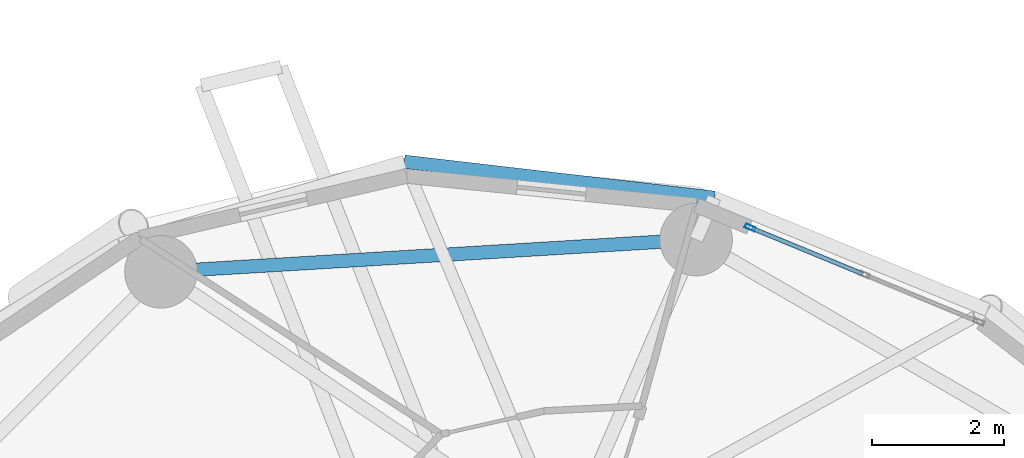
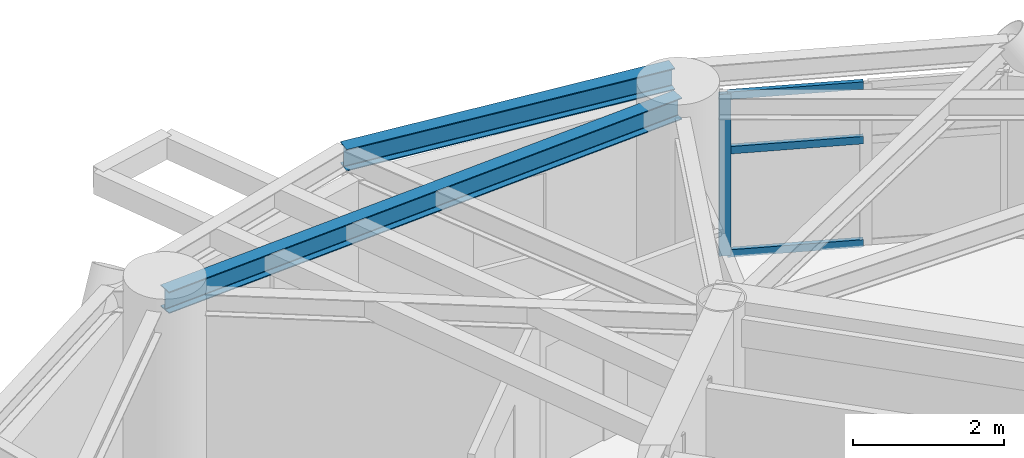
# One storey, part 5 of 15: 4 members, 2 beams, 1 element without a shape of its own.
"""IFC4 building model written with IfcOpenShell, lengths in metres."""

from ifc_helpers import new_model, si_unit, direction, frame, origin, origin_2d, place, context, subcontext, project, spatial, hollow_rectangle, i_section, extrude, material, layer, layer_set, material_profile, profile_set, type_object, element, aggregate, save


model = new_model("IFC4")

# Units and contexts
model_context = context("Model", 3, precision=1e-05, world=origin(), true_north=direction((0.0, 1.0)))
body_context = subcontext(model_context, "Body", "Model", "MODEL_VIEW")
ifc_project = project(units=[si_unit("LENGTHUNIT", "METRE"), si_unit("AREAUNIT", "SQUARE_METRE"), si_unit("VOLUMEUNIT", "CUBIC_METRE"), si_unit("PLANEANGLEUNIT", "RADIAN"), si_unit("MASSUNIT", "GRAM", prefix="KILO")], contexts=[model_context])

# Site, building, storey
site_placement = place(None, origin())
site = spatial("IfcSite", under=ifc_project, at=site_placement, CompositionType="ELEMENT")
building_placement = place(site_placement, origin())
building = spatial("IfcBuilding", under=site, at=building_placement, Name="Cununo Teusaquillo Station Towers", CompositionType="ELEMENT")
storey_placement = place(building_placement, frame((0.0, 0.0, 229.25)))
storey = spatial("IfcBuildingStorey", under=building, at=storey_placement, Name="L73", CompositionType="ELEMENT", Elevation=229.25)

# Beams
ifc_material_1 = material(Name="Steel ASTM A572 Grade 50", Category="steel")
ifc_material_profile_1 = material_profile(ifc_material_1, i_section(OverallWidth=0.2041015625, OverallDepth=0.35009765625, WebThickness=0.008544921875, FlangeThickness=0.01513671875, FilletRadius=0.011962890625, at=origin_2d()), Name="W14X48")
ifc_profile_set_1 = profile_set([ifc_material_profile_1], Name="Steel ASTM A572 Grade 50")
beam_type = type_object("IfcBeamType", Name="BM-RING-Z4", PredefinedType="SPANDREL", material=ifc_profile_set_1)
beam_1_placement = place(storey_placement, frame((58.291015625, 37.63525390625, 2.81494140625), z_axis=(-0.998190567048, -0.06012979176, 0.0), x_axis=(0.06012979176, -0.998190567048, 0.0)))
element("IfcBeam", 1, at=beam_1_placement, inside=storey, type_object=beam_type, Name="L73 Tower B Structural Column Ring Girder 02", PredefinedType="SPANDREL", context=body_context, shape_type="SweptSolid", body=[
    extrude(i_section(OverallWidth=0.2041015625, OverallDepth=0.35009765625, WebThickness=0.008544921875, FlangeThickness=0.01513671875, FilletRadius=0.011962890625, at=origin_2d()), origin(), (0.0, 0.0, 1.0), 8.132568359375),
])
beam_2_placement = place(storey_placement, frame((58.56591796875, 38.27001953125, 2.81494140625), z_axis=(-0.993313022334, 0.115452326356, 0.0), x_axis=(-0.115452326356, -0.993313022334, 0.0)))
element("IfcBeam", 2, at=beam_2_placement, inside=storey, type_object=beam_type, Name="L73 Tower B Spandrel Ring Beam 03", PredefinedType="SPANDREL", context=body_context, shape_type="SweptSolid", body=[
    extrude(i_section(OverallWidth=0.2041015625, OverallDepth=0.35009765625, WebThickness=0.008544921875, FlangeThickness=0.01513671875, FilletRadius=0.011962890625, at=origin_2d()), origin(), (0.0, 0.0, 1.0), 4.732666015625),
])

# Curtain wall, members
ifc_material_2 = material(Name="Ceramic-fritted dark low-E double glazing", Category="glass")
ifc_layer = layer(ifc_material_2, 0.179931640625)
ifc_layer_set = layer_set([ifc_layer], Name="Ceramic-fritted dark low-E double glazing")
curtain_wall_type = type_object("IfcCurtainWallType", Name="CW-SYS-07", PredefinedType="USERDEFINED", material=ifc_layer_set)
curtain_wall_placement = place(storey_placement, origin())
curtain_wall = element("IfcCurtainWall", 3, at=curtain_wall_placement, inside=storey, type_object=curtain_wall_type, Name="L73 Tower B Facade Curtain Wall C01", ObjectType="FRITTED GLAZING", PredefinedType="USERDEFINED")
ifc_material_3 = material(Name="Anodised dark bronze aluminium EN AW-6063-T6", Category="aluminium")
ifc_material_profile_2 = material_profile(ifc_material_3, hollow_rectangle(XDim=0.06494140625, YDim=0.159912109375, WallThickness=0.00390625, at=origin_2d()), Name="CW-MULL-65x160")
ifc_profile_set_2 = profile_set([ifc_material_profile_2], Name="Anodised dark bronze aluminium EN AW-6063-T6")
member_type_1 = type_object("IfcMemberType", Name="CWM-160", PredefinedType="MULLION", material=ifc_profile_set_2)
member_1_placement = place(storey_placement, frame((59.111328125, 37.818359375, 0.0), z_axis=(0.0, 0.0, 1.0), x_axis=(0.381310513086, 0.924447019904, 0.0)))
member_1 = element("IfcMember", 4, at=member_1_placement, type_object=member_type_1, Name="CW-07 mullion 1", PredefinedType="MULLION", context=body_context, shape_type="SweptSolid", body=[
    extrude(hollow_rectangle(XDim=0.06494140625, YDim=0.159912109375, WallThickness=0.00390625, at=origin_2d()), origin(), (0.0, 0.0, 1.0), 2.612060546875),
])
ifc_material_4 = material(Name="Anodised dark bronze aluminium EN AW-6063-T6", Category="aluminium")
ifc_material_profile_3 = material_profile(ifc_material_4, hollow_rectangle(XDim=0.06494140625, YDim=0.1201171875, WallThickness=0.00390625, at=origin_2d()), Name="CW-TRAN-65x120")
ifc_profile_set_3 = profile_set([ifc_material_profile_3], Name="Anodised dark bronze aluminium EN AW-6063-T6")
member_type_2 = type_object("IfcMemberType", Name="CWT-120", PredefinedType="USERDEFINED", material=ifc_profile_set_3)
member_2_placement = place(storey_placement, frame((59.141357421875, 37.805908203125, 0.032470703125), z_axis=(0.924457591038, -0.381284883483, 0.0), x_axis=(0.381284883483, 0.924457591038, 0.0)))
member_2 = element("IfcMember", 5, at=member_2_placement, type_object=member_type_2, Name="CW-07 transom 1.1", ObjectType="TRANSOM", PredefinedType="USERDEFINED", context=body_context, shape_type="SweptSolid", body=[
    extrude(hollow_rectangle(XDim=0.06494140625, YDim=0.1201171875, WallThickness=0.00390625, at=origin_2d()), origin(), (0.0, 0.0, 1.0), 1.812744140625),
])
member_3_placement = place(storey_placement, frame((59.141357421875, 37.805908203125, 1.697998046875), z_axis=(0.924457591038, -0.381284883483, 0.0), x_axis=(0.381284883483, 0.924457591038, 0.0)))
member_3 = element("IfcMember", 6, at=member_3_placement, type_object=member_type_2, Name="CW-07 transom 1.2", ObjectType="TRANSOM", PredefinedType="USERDEFINED", context=body_context, shape_type="SweptSolid", body=[
    extrude(hollow_rectangle(XDim=0.06494140625, YDim=0.1201171875, WallThickness=0.00390625, at=origin_2d()), origin(), (0.0, 0.0, 1.0), 1.812744140625),
])
member_4_placement = place(storey_placement, frame((59.141357421875, 37.805908203125, 2.57958984375), z_axis=(0.924457591038, -0.381284883483, 0.0), x_axis=(0.381284883483, 0.924457591038, 0.0)))
member_4 = element("IfcMember", 7, at=member_4_placement, type_object=member_type_2, Name="CW-07 transom 1.3", ObjectType="TRANSOM", PredefinedType="USERDEFINED", context=body_context, shape_type="SweptSolid", body=[
    extrude(hollow_rectangle(XDim=0.06494140625, YDim=0.1201171875, WallThickness=0.00390625, at=origin_2d()), origin(), (0.0, 0.0, 1.0), 1.812744140625),
])
aggregate(curtain_wall, [member_1, member_2, member_3, member_4])

save(model, "model.ifc")
